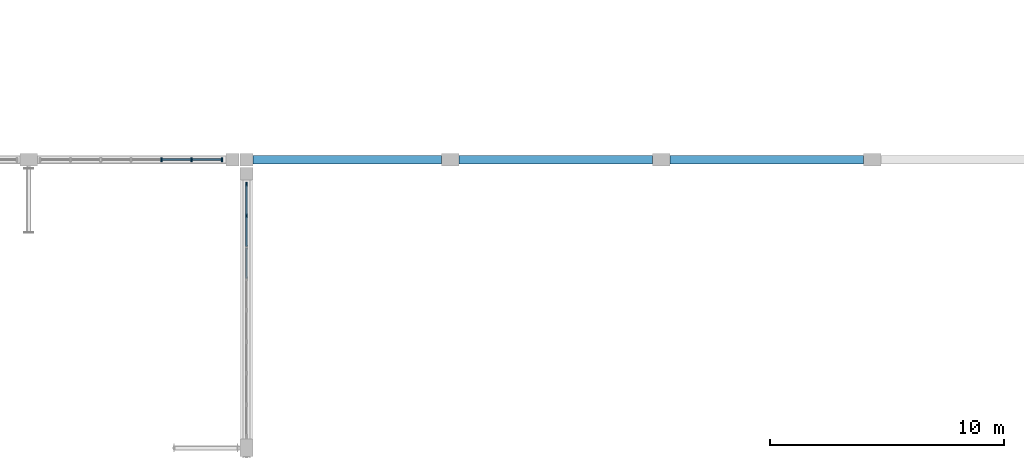
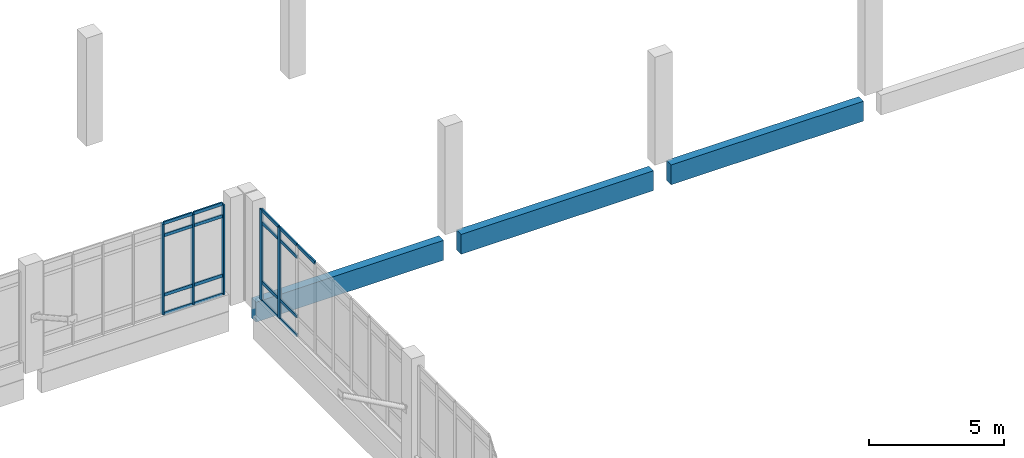
# One storey, part 43 of 110: 22 members, 3 beams, 2 elements without a shape of their own.
"""IFC4 building model written with IfcOpenShell, lengths in metres."""

from ifc_helpers import new_model, si_unit, direction, frame, origin, origin_2d, place, context, subcontext, project, spatial, rectangle, extrude, material, layer, layer_set, material_profile, profile_set, type_object, element, aggregate, save


model = new_model("IFC4")

# Units and contexts
model_context = context("Model", 3, precision=1e-05, world=origin(), true_north=direction((0.0, 1.0)))
body_context = subcontext(model_context, "Body", "Model", "MODEL_VIEW")
ifc_project = project(units=[si_unit("LENGTHUNIT", "METRE"), si_unit("AREAUNIT", "SQUARE_METRE"), si_unit("VOLUMEUNIT", "CUBIC_METRE"), si_unit("PLANEANGLEUNIT", "RADIAN"), si_unit("MASSUNIT", "GRAM", prefix="KILO")], contexts=[model_context])

# Site, building, storey
site_placement = place(None, origin())
site = spatial("IfcSite", under=ifc_project, at=site_placement, CompositionType="ELEMENT")
building_placement = place(site_placement, origin())
building = spatial("IfcBuilding", under=site, at=building_placement, Name="Zacnel Wholesale Market", CompositionType="ELEMENT")
storey_placement = place(building_placement, frame((0.0, 0.0, 6.300048828125)))
storey = spatial("IfcBuildingStorey", under=building, at=storey_placement, Name="L02", CompositionType="ELEMENT", Elevation=6.300048828125)

# Beams
ifc_material_1 = material(Name="Precast concrete C45/55", Category="concrete")
ifc_material_profile_1 = material_profile(ifc_material_1, rectangle(XDim=0.35009765625, YDim=0.89990234375, at=origin_2d()), Name="SP 350x900")
ifc_profile_set_1 = profile_set([ifc_material_profile_1], Name="Precast concrete C45/55")
beam_type = type_object("IfcBeamType", Name="BM-SP900", PredefinedType="SPANDREL", material=ifc_profile_set_1)
beam_placement = place(storey_placement, frame((144.574951171875, 96.300048828125, -0.75), z_axis=(1.0, 0.0, 0.0), x_axis=(0.0, 1.0, 0.0)))
element("IfcBeam", 1, at=beam_placement, inside=storey, type_object=beam_type, Name="Precast girder X-0237", PredefinedType="SPANDREL", context=body_context, shape_type="SweptSolid", body=[
    extrude(rectangle(XDim=0.35009765625, YDim=0.89990234375, at=origin_2d()), origin(), (0.0, 0.0, 1.0), 8.050048828125),
])
for number, where, z_axis, x_axis, name in (
    (2, (153.375, 96.300048828125, -0.75), (1.0, 0.0, 0.0), (0.0, 1.0, 0.0), "Precast girder X-0238"),
    (3, (162.375, 96.300048828125, -0.75), (1.0, 0.0, 0.0), (0.0, 1.0, 0.0), "Precast girder X-0239"),
):
    element("IfcBeam", number, at=place(storey_placement, frame(where, z_axis=z_axis, x_axis=x_axis)), inside=storey, type_object=beam_type, Name=name, PredefinedType="SPANDREL", context=body_context, shape_type="SweptSolid", body=[
        extrude(rectangle(XDim=0.35009765625, YDim=0.89990234375, at=origin_2d()), origin(), (0.0, 0.0, 1.0), 8.25),
    ])

# Curtain wall, members
ifc_material_2 = material(Name="Anodised aluminium", Category="aluminium")
ifc_layer = layer(ifc_material_2, 0.159912109375)
ifc_layer_set = layer_set([ifc_layer], Name="Anodised aluminium")
curtain_wall_type = type_object("IfcCurtainWallType", Name="CW-NAVE-4200", PredefinedType="NOTDEFINED", material=ifc_layer_set)
curtain_wall_1_placement = place(storey_placement, origin())
curtain_wall_1 = element("IfcCurtainWall", 4, at=curtain_wall_1_placement, inside=storey, type_object=curtain_wall_type, Name="Curtain wall ENV-R2-CW-L02-027", PredefinedType="NOTDEFINED")
ifc_material_3 = material(Name="Anodised aluminium", Category="aluminium")
ifc_material_profile_2 = material_profile(ifc_material_3, rectangle(XDim=0.06494140625, YDim=0.179931640625, at=origin_2d()), Name="AW-MULLION 65x180")
ifc_profile_set_2 = profile_set([ifc_material_profile_2], Name="Anodised aluminium")
member_type_1 = type_object("IfcMemberType", Name="CWM-MUL-03", PredefinedType="MULLION", material=ifc_profile_set_2)
member_1_placement = place(storey_placement, frame((140.6650390625, 96.300048828125, 0.449951171875), z_axis=(0.0, 0.0, 1.0), x_axis=(1.0, 0.0, 0.0)))
member_1 = element("IfcMember", 5, at=member_1_placement, type_object=member_type_1, Name="ENV-R2-CW-L02-027 mullion 05", PredefinedType="MULLION", context=body_context, shape_type="SweptSolid", body=[
    extrude(rectangle(XDim=0.06494140625, YDim=0.179931640625, at=origin_2d()), origin(), (0.0, 0.0, 1.0), 4.10009765625),
])
member_2_placement = place(storey_placement, frame((141.95751953125, 96.300048828125, 0.449951171875), z_axis=(0.0, 0.0, 1.0), x_axis=(1.0, 0.0, 0.0)))
member_2 = element("IfcMember", 6, at=member_2_placement, type_object=member_type_1, Name="ENV-R2-CW-L02-027 mullion 06", PredefinedType="MULLION", context=body_context, shape_type="SweptSolid", body=[
    extrude(rectangle(XDim=0.06494140625, YDim=0.179931640625, at=origin_2d()), origin(), (0.0, 0.0, 1.0), 4.10009765625),
])
member_3_placement = place(storey_placement, frame((143.25, 96.300048828125, 0.449951171875), z_axis=(0.0, 0.0, 1.0), x_axis=(1.0, 0.0, 0.0)))
member_3 = element("IfcMember", 7, at=member_3_placement, type_object=member_type_1, Name="ENV-R2-CW-L02-027 mullion 07", PredefinedType="MULLION", context=body_context, shape_type="SweptSolid", body=[
    extrude(rectangle(XDim=0.06494140625, YDim=0.179931640625, at=origin_2d()), origin(), (0.0, 0.0, 1.0), 4.10009765625),
])

curtain_wall_2_placement = place(storey_placement, origin())
curtain_wall_2 = element("IfcCurtainWall", 8, at=curtain_wall_2_placement, inside=storey, type_object=curtain_wall_type, Name="Curtain wall ENV-R2-CW-L02-045", PredefinedType="NOTDEFINED")
member_4_placement = place(storey_placement, frame((144.300048828125, 93.905517578125, 0.449951171875), z_axis=(0.0, 0.0, 1.0), x_axis=(1.0, 0.0, 0.0)))
member_4 = element("IfcMember", 9, at=member_4_placement, type_object=member_type_1, Name="ENV-R2-CW-L02-045 mullion 08", PredefinedType="MULLION", context=body_context, shape_type="SweptSolid", body=[
    extrude(rectangle(XDim=0.06494140625, YDim=0.179931640625, at=origin_2d()), origin(), (0.0, 0.0, 1.0), 4.10009765625),
])
member_5_placement = place(storey_placement, frame((144.300048828125, 95.25, 0.449951171875), z_axis=(0.0, 0.0, 1.0), x_axis=(1.0, 0.0, 0.0)))
member_5 = element("IfcMember", 10, at=member_5_placement, type_object=member_type_1, Name="ENV-R2-CW-L02-045 mullion 09", PredefinedType="MULLION", context=body_context, shape_type="SweptSolid", body=[
    extrude(rectangle(XDim=0.06494140625, YDim=0.179931640625, at=origin_2d()), origin(), (0.0, 0.0, 1.0), 4.10009765625),
])

# Member
ifc_material_4 = material(Name="Anodised aluminium", Category="aluminium")
ifc_material_profile_3 = material_profile(ifc_material_4, rectangle(XDim=0.06494140625, YDim=0.139892578125, at=origin_2d()), Name="AW-TRANSOM 65x140")
ifc_profile_set_3 = profile_set([ifc_material_profile_3], Name="Anodised aluminium")
member_type_2 = type_object("IfcMemberType", Name="CWM-TRN-03", PredefinedType="USERDEFINED", material=ifc_profile_set_3)
member_6_placement = place(storey_placement, frame((140.699951171875, 96.300048828125, 0.449951171875), z_axis=(1.0, 0.0, 0.0), x_axis=(0.0, 1.0, 0.0)))
member_6 = element("IfcMember", 11, at=member_6_placement, type_object=member_type_2, Name="ENV-R2-CW-L02-027 transom 5-1", ObjectType="TRANSOM", PredefinedType="USERDEFINED", context=body_context, shape_type="SweptSolid", body=[
    extrude(rectangle(XDim=0.06494140625, YDim=0.139892578125, at=origin_2d()), origin(), (0.0, 0.0, 1.0), 1.22265625),
])

member_7_placement = place(storey_placement, frame((140.699951171875, 96.300048828125, 1.300048828125), z_axis=(1.0, 0.0, 0.0), x_axis=(0.0, 1.0, 0.0)))
member_7 = element("IfcMember", 12, at=member_7_placement, type_object=member_type_2, Name="ENV-R2-CW-L02-027 transom 5-2", ObjectType="TRANSOM", PredefinedType="USERDEFINED", context=body_context, shape_type="SweptSolid", body=[
    extrude(rectangle(XDim=0.06494140625, YDim=0.139892578125, at=origin_2d()), origin(), (0.0, 0.0, 1.0), 1.22265625),
])

member_8_placement = place(storey_placement, frame((140.699951171875, 96.300048828125, 4.0), z_axis=(1.0, 0.0, 0.0), x_axis=(0.0, 1.0, 0.0)))
member_8 = element("IfcMember", 13, at=member_8_placement, type_object=member_type_2, Name="ENV-R2-CW-L02-027 transom 5-3", ObjectType="TRANSOM", PredefinedType="USERDEFINED", context=body_context, shape_type="SweptSolid", body=[
    extrude(rectangle(XDim=0.06494140625, YDim=0.139892578125, at=origin_2d()), origin(), (0.0, 0.0, 1.0), 1.22265625),
])

member_9_placement = place(storey_placement, frame((140.699951171875, 96.300048828125, 4.550048828125), z_axis=(1.0, 0.0, 0.0), x_axis=(0.0, 1.0, 0.0)))
member_9 = element("IfcMember", 14, at=member_9_placement, type_object=member_type_2, Name="ENV-R2-CW-L02-027 transom 5-4", ObjectType="TRANSOM", PredefinedType="USERDEFINED", context=body_context, shape_type="SweptSolid", body=[
    extrude(rectangle(XDim=0.06494140625, YDim=0.139892578125, at=origin_2d()), origin(), (0.0, 0.0, 1.0), 1.22265625),
])

member_10_placement = place(storey_placement, frame((141.992431640625, 96.300048828125, 0.449951171875), z_axis=(1.0, 0.0, 0.0), x_axis=(0.0, 1.0, 0.0)))
member_10 = element("IfcMember", 15, at=member_10_placement, type_object=member_type_2, Name="ENV-R2-CW-L02-027 transom 6-1", ObjectType="TRANSOM", PredefinedType="USERDEFINED", context=body_context, shape_type="SweptSolid", body=[
    extrude(rectangle(XDim=0.06494140625, YDim=0.139892578125, at=origin_2d()), origin(), (0.0, 0.0, 1.0), 1.22265625),
])

member_11_placement = place(storey_placement, frame((141.992431640625, 96.300048828125, 1.300048828125), z_axis=(1.0, 0.0, 0.0), x_axis=(0.0, 1.0, 0.0)))
member_11 = element("IfcMember", 16, at=member_11_placement, type_object=member_type_2, Name="ENV-R2-CW-L02-027 transom 6-2", ObjectType="TRANSOM", PredefinedType="USERDEFINED", context=body_context, shape_type="SweptSolid", body=[
    extrude(rectangle(XDim=0.06494140625, YDim=0.139892578125, at=origin_2d()), origin(), (0.0, 0.0, 1.0), 1.22265625),
])

member_12_placement = place(storey_placement, frame((141.992431640625, 96.300048828125, 4.0), z_axis=(1.0, 0.0, 0.0), x_axis=(0.0, 1.0, 0.0)))
member_12 = element("IfcMember", 17, at=member_12_placement, type_object=member_type_2, Name="ENV-R2-CW-L02-027 transom 6-3", ObjectType="TRANSOM", PredefinedType="USERDEFINED", context=body_context, shape_type="SweptSolid", body=[
    extrude(rectangle(XDim=0.06494140625, YDim=0.139892578125, at=origin_2d()), origin(), (0.0, 0.0, 1.0), 1.22265625),
])

member_13_placement = place(storey_placement, frame((141.992431640625, 96.300048828125, 4.550048828125), z_axis=(1.0, 0.0, 0.0), x_axis=(0.0, 1.0, 0.0)))
member_13 = element("IfcMember", 18, at=member_13_placement, type_object=member_type_2, Name="ENV-R2-CW-L02-027 transom 6-4", ObjectType="TRANSOM", PredefinedType="USERDEFINED", context=body_context, shape_type="SweptSolid", body=[
    extrude(rectangle(XDim=0.06494140625, YDim=0.139892578125, at=origin_2d()), origin(), (0.0, 0.0, 1.0), 1.22265625),
])

aggregate(curtain_wall_1, [member_1, member_2, member_3, member_6, member_7, member_8, member_9, member_10, member_11, member_12, member_13])

member_14_placement = place(storey_placement, frame((144.300048828125, 91.251953125, 4.550048828125), z_axis=(0.0, 1.0, 0.0), x_axis=(-1.0, 0.0, 0.0)))
member_14 = element("IfcMember", 19, at=member_14_placement, type_object=member_type_2, Name="ENV-R2-CW-L02-045 transom 6-4", ObjectType="TRANSOM", PredefinedType="USERDEFINED", context=body_context, shape_type="SweptSolid", body=[
    extrude(rectangle(XDim=0.06494140625, YDim=0.139892578125, at=origin_2d()), origin(), (0.0, 0.0, 1.0), 1.2744140625),
])

member_15_placement = place(storey_placement, frame((144.300048828125, 92.59619140625, 0.449951171875), z_axis=(0.0, 1.0, 0.0), x_axis=(-1.0, 0.0, 0.0)))
member_15 = element("IfcMember", 20, at=member_15_placement, type_object=member_type_2, Name="ENV-R2-CW-L02-045 transom 7-1", ObjectType="TRANSOM", PredefinedType="USERDEFINED", context=body_context, shape_type="SweptSolid", body=[
    extrude(rectangle(XDim=0.06494140625, YDim=0.139892578125, at=origin_2d()), origin(), (0.0, 0.0, 1.0), 1.2744140625),
])

member_16_placement = place(storey_placement, frame((144.300048828125, 92.59619140625, 1.300048828125), z_axis=(0.0, 1.0, 0.0), x_axis=(-1.0, 0.0, 0.0)))
member_16 = element("IfcMember", 21, at=member_16_placement, type_object=member_type_2, Name="ENV-R2-CW-L02-045 transom 7-2", ObjectType="TRANSOM", PredefinedType="USERDEFINED", context=body_context, shape_type="SweptSolid", body=[
    extrude(rectangle(XDim=0.06494140625, YDim=0.139892578125, at=origin_2d()), origin(), (0.0, 0.0, 1.0), 1.2744140625),
])

member_17_placement = place(storey_placement, frame((144.300048828125, 92.59619140625, 4.0), z_axis=(0.0, 1.0, 0.0), x_axis=(-1.0, 0.0, 0.0)))
member_17 = element("IfcMember", 22, at=member_17_placement, type_object=member_type_2, Name="ENV-R2-CW-L02-045 transom 7-3", ObjectType="TRANSOM", PredefinedType="USERDEFINED", context=body_context, shape_type="SweptSolid", body=[
    extrude(rectangle(XDim=0.06494140625, YDim=0.139892578125, at=origin_2d()), origin(), (0.0, 0.0, 1.0), 1.2744140625),
])

member_18_placement = place(storey_placement, frame((144.300048828125, 92.59619140625, 4.550048828125), z_axis=(0.0, 1.0, 0.0), x_axis=(-1.0, 0.0, 0.0)))
member_18 = element("IfcMember", 23, at=member_18_placement, type_object=member_type_2, Name="ENV-R2-CW-L02-045 transom 7-4", ObjectType="TRANSOM", PredefinedType="USERDEFINED", context=body_context, shape_type="SweptSolid", body=[
    extrude(rectangle(XDim=0.06494140625, YDim=0.139892578125, at=origin_2d()), origin(), (0.0, 0.0, 1.0), 1.2744140625),
])

member_19_placement = place(storey_placement, frame((144.300048828125, 93.940673828125, 0.449951171875), z_axis=(0.0, 1.0, 0.0), x_axis=(-1.0, 0.0, 0.0)))
member_19 = element("IfcMember", 24, at=member_19_placement, type_object=member_type_2, Name="ENV-R2-CW-L02-045 transom 8-1", ObjectType="TRANSOM", PredefinedType="USERDEFINED", context=body_context, shape_type="SweptSolid", body=[
    extrude(rectangle(XDim=0.06494140625, YDim=0.139892578125, at=origin_2d()), origin(), (0.0, 0.0, 1.0), 1.2744140625),
])

member_20_placement = place(storey_placement, frame((144.300048828125, 93.940673828125, 1.300048828125), z_axis=(0.0, 1.0, 0.0), x_axis=(-1.0, 0.0, 0.0)))
member_20 = element("IfcMember", 25, at=member_20_placement, type_object=member_type_2, Name="ENV-R2-CW-L02-045 transom 8-2", ObjectType="TRANSOM", PredefinedType="USERDEFINED", context=body_context, shape_type="SweptSolid", body=[
    extrude(rectangle(XDim=0.06494140625, YDim=0.139892578125, at=origin_2d()), origin(), (0.0, 0.0, 1.0), 1.2744140625),
])

member_21_placement = place(storey_placement, frame((144.300048828125, 93.940673828125, 4.0), z_axis=(0.0, 1.0, 0.0), x_axis=(-1.0, 0.0, 0.0)))
member_21 = element("IfcMember", 26, at=member_21_placement, type_object=member_type_2, Name="ENV-R2-CW-L02-045 transom 8-3", ObjectType="TRANSOM", PredefinedType="USERDEFINED", context=body_context, shape_type="SweptSolid", body=[
    extrude(rectangle(XDim=0.06494140625, YDim=0.139892578125, at=origin_2d()), origin(), (0.0, 0.0, 1.0), 1.2744140625),
])

member_22_placement = place(storey_placement, frame((144.300048828125, 93.940673828125, 4.550048828125), z_axis=(0.0, 1.0, 0.0), x_axis=(-1.0, 0.0, 0.0)))
member_22 = element("IfcMember", 27, at=member_22_placement, type_object=member_type_2, Name="ENV-R2-CW-L02-045 transom 8-4", ObjectType="TRANSOM", PredefinedType="USERDEFINED", context=body_context, shape_type="SweptSolid", body=[
    extrude(rectangle(XDim=0.06494140625, YDim=0.139892578125, at=origin_2d()), origin(), (0.0, 0.0, 1.0), 1.2744140625),
])

aggregate(curtain_wall_2, [member_4, member_5, member_14, member_15, member_16, member_17, member_18, member_19, member_20, member_21, member_22])

save(model, "model.ifc")
